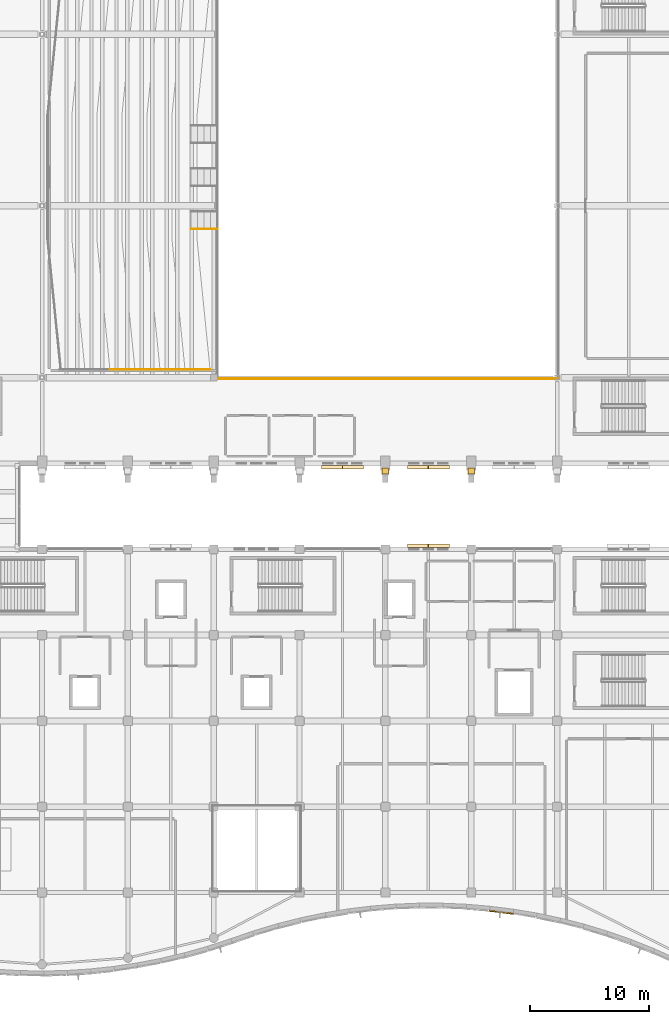
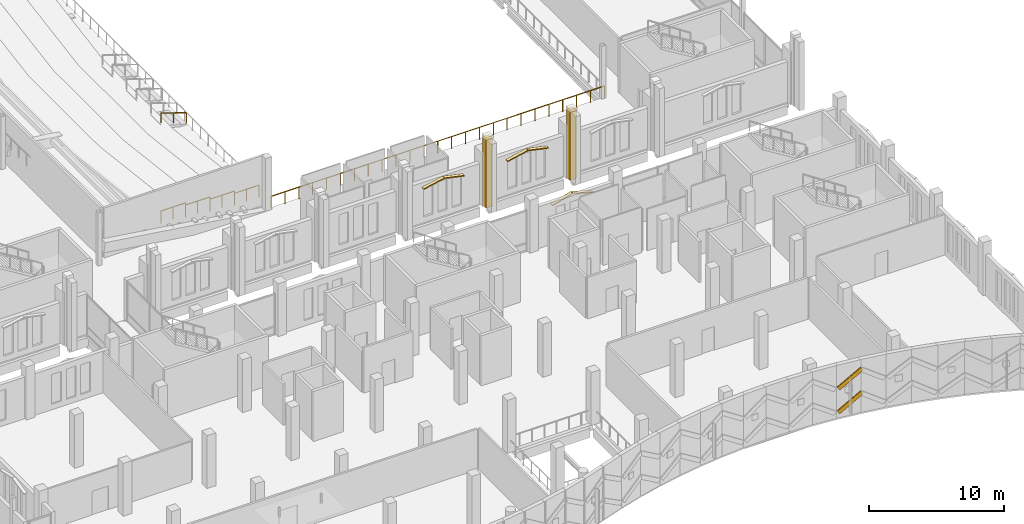
# One storey, part 184 of 193: 10 coverings, 6 railings.
"""IFC4 building model written with IfcOpenShell, lengths in metres."""

from ifc_helpers import new_model, si_unit, direction, frame, origin, origin_2d, place, context, subcontext, project, spatial, polyline, circle, outline, extrude, material, layer, layer_set, type_object, element, save


model = new_model("IFC4")

# Units and contexts
model_context = context("Model", 3, precision=1e-05, world=origin(), true_north=direction((0.0, 1.0)))
body_context = subcontext(model_context, "Body", "Model", "MODEL_VIEW")
ifc_project = project(units=[si_unit("LENGTHUNIT", "METRE"), si_unit("AREAUNIT", "SQUARE_METRE"), si_unit("VOLUMEUNIT", "CUBIC_METRE"), si_unit("PLANEANGLEUNIT", "RADIAN"), si_unit("MASSUNIT", "GRAM", prefix="KILO")], contexts=[model_context])

# Site, building, storey
site_placement = place(None, origin())
site = spatial("IfcSite", under=ifc_project, at=site_placement, CompositionType="ELEMENT")
building_placement = place(site_placement, origin())
building = spatial("IfcBuilding", under=site, at=building_placement, Name="Cendralis Lancet Convention Centre", CompositionType="ELEMENT")
storey_placement = place(building_placement, frame((0.0, 0.0, 10.199951171875)))
storey = spatial("IfcBuildingStorey", under=building, at=storey_placement, Name="L02", CompositionType="ELEMENT", Elevation=10.199951171875)

# Coverings
ifc_material_1 = material(Name="Warm buff sandstone chevron cassette", Category="masonry")
ifc_layer_1 = layer(ifc_material_1, 0.06005859375, Name="Warm buff sandstone chevron cassette")
ifc_layer_set_1 = layer_set([ifc_layer_1], Name="Warm buff sandstone chevron cassette")
covering_type_1 = type_object("IfcCoveringType", Name="ARC-CV-CLAD1", PredefinedType="CLADDING", material=ifc_layer_set_1)
covering_1_placement = place(storey_placement, frame((191.083984375, 5.627197265625, 0.699951171875), z_axis=(-0.559465637372, 0.070168142649, 0.825878097758), x_axis=(0.819559202528, -0.101968410326, 0.563848522963)))
element("IfcCovering", 1, at=covering_1_placement, inside=storey, type_object=covering_type_1, Name="L02 Diagonal Stone Chevron Relief CL-ST1 #0573", PredefinedType="CLADDING", context=body_context, shape_type="SweptSolid", body=[
    extrude(outline(polyline([(0.0, 0.0), (2.3056829080779346, -2.8189256484623115e-17), (2.3057599188019724, 0.10998390168530642), (0.00010190535546519483, 0.10974163853382578), (0.0, 0.0)])), origin(), (0.0, 0.0, -1.0), 0.360107421875),
])
for number, where, z_axis, x_axis, name in (
    (2, (180.56005859375, 42.75, 3.27001953125), (0.209529088731, 0.0, 0.977802414077), (0.0, 1.0, 0.0), "L02 Gothic Pointed Lancet Hood-Mould #0141L"),
    (3, (178.7900390625, 42.75, 3.64501953125), (-0.209529088731, 0.0, 0.977802414077), (0.0, 1.0, 0.0), "L02 Gothic Pointed Lancet Hood-Mould #0142R"),
    (4, (187.760009765625, 42.75, 3.27001953125), (0.209529088731, 0.0, 0.977802414077), (0.0, 1.0, 0.0), "L02 Gothic Pointed Lancet Hood-Mould #0143L"),
    (5, (185.989990234375, 42.75, 3.64501953125), (-0.209529088731, 0.0, 0.977802414077), (0.0, 1.0, 0.0), "L02 Gothic Pointed Lancet Hood-Mould #0144R"),
):
    element("IfcCovering", number, at=place(storey_placement, frame(where, z_axis=z_axis, x_axis=x_axis)), inside=storey, type_object=covering_type_1, Name=name, PredefinedType="CLADDING", context=body_context, shape_type="SweptSolid", body=[
        extrude(outline(polyline([(0.0, 0.0), (0.284912109375, 0.0), (0.284912109375, 1.789727632909544), (0.0, 1.789727632909544), (0.0, 0.0)])), origin(), (0.0, 0.0, -1.0), 0.090087890625),
    ])
covering_2_placement = place(storey_placement, origin())
element("IfcCovering", 6, at=covering_2_placement, inside=storey, type_object=covering_type_1, Name="Gothic Stepped Stone Buttress Shaft #0043", PredefinedType="CLADDING", context=body_context, shape_type="SweptSolid", body=[
    extrude(outline(polyline([(182.1201171875, 42.300048828125), (182.679931640625, 42.300048828125), (182.679931640625, 42.830078125), (182.1201171875, 42.830078125), (182.1201171875, 42.300048828125)])), origin(), (0.0, 0.0, 1.0), 6.199951171875),
])
covering_3_placement = place(storey_placement, origin())
element("IfcCovering", 7, at=covering_3_placement, inside=storey, type_object=covering_type_1, Name="Gothic Stepped Stone Buttress Shaft #0045", PredefinedType="CLADDING", context=body_context, shape_type="SweptSolid", body=[
    extrude(outline(polyline([(189.320068359375, 42.300048828125), (189.8798828125, 42.300048828125), (189.8798828125, 42.830078125), (189.320068359375, 42.830078125), (189.320068359375, 42.300048828125)])), origin(), (0.0, 0.0, 1.0), 6.199951171875),
])
for number, where, z_axis, x_axis, name in (
    (8, (184.239990234375, 36.419921875, 3.27001953125), (-0.262000790167, 0.0, 0.965067658743), (0.0, -1.0, 0.0), "L02 Gothic Pointed Lancet Hood-Mould #0355L"),
    (9, (186.010009765625, 36.419921875, 3.7451171875), (0.262000790167, 0.0, 0.965067658743), (0.0, -1.0, 0.0), "L02 Gothic Pointed Lancet Hood-Mould #0356R"),
):
    element("IfcCovering", number, at=place(storey_placement, frame(where, z_axis=z_axis, x_axis=x_axis)), inside=storey, type_object=covering_type_1, Name=name, PredefinedType="CLADDING", context=body_context, shape_type="SweptSolid", body=[
        extrude(outline(polyline([(0.0, 0.0), (0.284912109375, 0.0), (0.284912109375, 1.8133443641443958), (0.0, 1.8133443641443958), (0.0, 0.0)])), origin(), (0.0, 0.0, -1.0), 0.090087890625),
    ])
ifc_material_2 = material(Name="Dark Andean slate chevron cassette", Category="masonry")
ifc_layer_2 = layer(ifc_material_2, 0.06005859375, Name="Dark Andean slate chevron cassette")
ifc_layer_set_2 = layer_set([ifc_layer_2], Name="Dark Andean slate chevron cassette")
covering_type_2 = type_object("IfcCoveringType", Name="ARC-CV-CLAD2", PredefinedType="CLADDING", material=ifc_layer_set_2)
covering_4_placement = place(storey_placement, frame((191.083984375, 5.627197265625, 2.85009765625), z_axis=(-0.559465637372, 0.070168142649, 0.825878097758), x_axis=(0.819559202528, -0.101968410326, 0.563848522963)))
element("IfcCovering", 10, at=covering_4_placement, inside=storey, type_object=covering_type_2, Name="L02 Diagonal Stone Chevron Relief CL-ST2 #0574", PredefinedType="CLADDING", context=body_context, shape_type="SweptSolid", body=[
    extrude(outline(polyline([(0.0, 0.0), (2.3056829080779346, -2.8189256484623115e-17), (2.3057599188019724, 0.10998390168530642), (0.00010190535546519483, 0.10974163853382578), (0.0, 0.0)])), origin(), (0.0, 0.0, -1.0), 0.360107421875),
])

# Railings
ifc_material_3 = material(Name="Steel S355", Category="steel")
railing_type_1 = type_object("IfcRailingType", Name="ARC-RL-IG01", PredefinedType="GUARDRAIL", material=ifc_material_3)
railing_1_placement = place(storey_placement, frame((168.300048828125, 50.300048828125, 0.0)))
element("IfcRailing", 11, at=railing_1_placement, inside=storey, type_object=railing_type_1, Name="L02 Atrium Void Guardrail GD-IN1 #009", PredefinedType="GUARDRAIL", context=body_context, shape_type="SweptSolid", body=[
    extrude(circle(Radius=0.02392578125, at=origin_2d()), frame((0.0, 0.0, 1.076171875), z_axis=(1.0, 0.0, 0.0), x_axis=(0.0, 1.0, 0.0)), (0.0, 0.0, 1.0), 28.599853515625),
    extrude(circle(Radius=0.02099609375, at=origin_2d()), origin(), (0.0, 0.0, 1.0), 1.052001953125),
    extrude(circle(Radius=0.02099609375, at=origin_2d()), frame((1.191650390625, 0.0, 0.0)), (0.0, 0.0, 1.0), 1.052001953125),
    extrude(circle(Radius=0.02099609375, at=origin_2d()), frame((2.38330078125, 0.0, 0.0)), (0.0, 0.0, 1.0), 1.052001953125),
    extrude(circle(Radius=0.02099609375, at=origin_2d()), frame((3.574951171875, 0.0, 0.0)), (0.0, 0.0, 1.0), 1.052001953125),
    extrude(circle(Radius=0.02099609375, at=origin_2d()), frame((4.7666015625, 0.0, 0.0)), (0.0, 0.0, 1.0), 1.052001953125),
    extrude(circle(Radius=0.02099609375, at=origin_2d()), frame((5.958251953125, 0.0, 0.0)), (0.0, 0.0, 1.0), 1.052001953125),
    extrude(circle(Radius=0.02099609375, at=origin_2d()), frame((7.14990234375, 0.0, 0.0)), (0.0, 0.0, 1.0), 1.052001953125),
    extrude(circle(Radius=0.02099609375, at=origin_2d()), frame((8.341552734375, 0.0, 0.0)), (0.0, 0.0, 1.0), 1.052001953125),
    extrude(circle(Radius=0.02099609375, at=origin_2d()), frame((9.533203125, 0.0, 0.0)), (0.0, 0.0, 1.0), 1.052001953125),
    extrude(circle(Radius=0.02099609375, at=origin_2d()), frame((10.724853515625, 0.0, 0.0)), (0.0, 0.0, 1.0), 1.052001953125),
    extrude(circle(Radius=0.02099609375, at=origin_2d()), frame((11.91650390625, 0.0, 0.0)), (0.0, 0.0, 1.0), 1.052001953125),
    extrude(circle(Radius=0.02099609375, at=origin_2d()), frame((13.108154296875, 0.0, 0.0)), (0.0, 0.0, 1.0), 1.052001953125),
    extrude(circle(Radius=0.02099609375, at=origin_2d()), frame((14.2998046875, 0.0, 0.0)), (0.0, 0.0, 1.0), 1.052001953125),
    extrude(circle(Radius=0.02099609375, at=origin_2d()), frame((15.49169921875, 0.0, 0.0)), (0.0, 0.0, 1.0), 1.052001953125),
    extrude(circle(Radius=0.02099609375, at=origin_2d()), frame((16.683349609375, 0.0, 0.0)), (0.0, 0.0, 1.0), 1.052001953125),
    extrude(circle(Radius=0.02099609375, at=origin_2d()), frame((17.875, 0.0, 0.0)), (0.0, 0.0, 1.0), 1.052001953125),
    extrude(circle(Radius=0.02099609375, at=origin_2d()), frame((19.066650390625, 0.0, 0.0)), (0.0, 0.0, 1.0), 1.052001953125),
    extrude(circle(Radius=0.02099609375, at=origin_2d()), frame((20.25830078125, 0.0, 0.0)), (0.0, 0.0, 1.0), 1.052001953125),
    extrude(circle(Radius=0.02099609375, at=origin_2d()), frame((21.449951171875, 0.0, 0.0)), (0.0, 0.0, 1.0), 1.052001953125),
    extrude(circle(Radius=0.02099609375, at=origin_2d()), frame((22.6416015625, 0.0, 0.0)), (0.0, 0.0, 1.0), 1.052001953125),
    extrude(circle(Radius=0.02099609375, at=origin_2d()), frame((23.833251953125, 0.0, 0.0)), (0.0, 0.0, 1.0), 1.052001953125),
    extrude(circle(Radius=0.02099609375, at=origin_2d()), frame((25.02490234375, 0.0, 0.0)), (0.0, 0.0, 1.0), 1.052001953125),
    extrude(circle(Radius=0.02099609375, at=origin_2d()), frame((26.216552734375, 0.0, 0.0)), (0.0, 0.0, 1.0), 1.052001953125),
    extrude(circle(Radius=0.02099609375, at=origin_2d()), frame((27.408203125, 0.0, 0.0)), (0.0, 0.0, 1.0), 1.052001953125),
    extrude(circle(Radius=0.02099609375, at=origin_2d()), frame((28.599853515625, 0.0, 0.0)), (0.0, 0.0, 1.0), 1.052001953125),
])
railing_2_placement = place(storey_placement, frame((165.60009765625, 51.080078125, 0.75)))
element("IfcRailing", 12, at=railing_2_placement, inside=storey, type_object=railing_type_1, Name="Plenary Upper Stand Side Crowd Guardrail #050", PredefinedType="GUARDRAIL", context=body_context, shape_type="SweptSolid", body=[
    extrude(circle(Radius=0.02392578125, at=origin_2d()), frame((0.0, 0.0, 1.076171875), z_axis=(1.0, 0.0, 0.0), x_axis=(0.0, 1.0, 0.0)), (0.0, 0.0, 1.0), 2.099853515625),
    extrude(circle(Radius=0.02099609375, at=origin_2d()), origin(), (0.0, 0.0, 1.0), 1.052001953125),
    extrude(circle(Radius=0.02099609375, at=origin_2d()), frame((1.0498046875, 0.0, 0.0)), (0.0, 0.0, 1.0), 1.052001953125),
    extrude(circle(Radius=0.02099609375, at=origin_2d()), frame((2.099853515625, 0.0, 0.0)), (0.0, 0.0, 1.0), 1.052001953125),
])
for number, where, name in (
    (13, (163.5, 51.080078125, 0.949951171875), "Plenary Upper Stand Side Crowd Guardrail #052"),
    (14, (161.39990234375, 51.080078125, 1.150146484375), "Plenary Upper Stand Side Crowd Guardrail #054"),
):
    element("IfcRailing", number, at=place(storey_placement, frame(where)), inside=storey, type_object=railing_type_1, Name=name, PredefinedType="GUARDRAIL", context=body_context, shape_type="SweptSolid", body=[
        extrude(circle(Radius=0.02392578125, at=origin_2d()), frame((0.0, 0.0, 1.076171875), z_axis=(1.0, 0.0, 0.0), x_axis=(0.0, 1.0, 0.0)), (0.0, 0.0, 1.0), 2.10009765625),
        extrude(circle(Radius=0.02099609375, at=origin_2d()), origin(), (0.0, 0.0, 1.0), 1.052001953125),
        extrude(circle(Radius=0.02099609375, at=origin_2d()), frame((1.050048828125, 0.0, 0.0)), (0.0, 0.0, 1.0), 1.052001953125),
        extrude(circle(Radius=0.02099609375, at=origin_2d()), frame((2.10009765625, 0.0, 0.0)), (0.0, 0.0, 1.0), 1.052001953125),
    ])
railing_3_placement = place(storey_placement, frame((159.300048828125, 51.080078125, 1.35009765625)))
element("IfcRailing", 15, at=railing_3_placement, inside=storey, type_object=railing_type_1, Name="Plenary Upper Stand Side Crowd Guardrail #056", PredefinedType="GUARDRAIL", context=body_context, shape_type="SweptSolid", body=[
    extrude(circle(Radius=0.02392578125, at=origin_2d()), frame((0.0, 0.0, 1.076171875), z_axis=(1.0, 0.0, 0.0), x_axis=(0.0, 1.0, 0.0)), (0.0, 0.0, 1.0), 2.099853515625),
    extrude(circle(Radius=0.02099609375, at=origin_2d()), origin(), (0.0, 0.0, 1.0), 1.052001953125),
    extrude(circle(Radius=0.02099609375, at=origin_2d()), frame((1.0498046875, 0.0, 0.0)), (0.0, 0.0, 1.0), 1.052001953125),
    extrude(circle(Radius=0.02099609375, at=origin_2d()), frame((2.099853515625, 0.0, 0.0)), (0.0, 0.0, 1.0), 1.052001953125),
])
railing_type_2 = type_object("IfcRailingType", Name="ARC-RL-IH01", PredefinedType="HANDRAIL", material=ifc_material_3)
railing_4_placement = place(storey_placement, frame((168.300048828125, 62.860107421875, 0.150146484375)))
element("IfcRailing", 16, at=railing_4_placement, inside=storey, type_object=railing_type_2, Name="Plenary Balcony Vomitory Gangway Stair VS-04 Handrail R", PredefinedType="HANDRAIL", context=body_context, shape_type="SweptSolid", body=[
    extrude(circle(Radius=0.02392578125, at=origin_2d()), frame((0.0, 0.0, 0.89599609375), z_axis=(-0.946508000853, 0.0, 0.322680343871), x_axis=(0.0, -1.0, 0.0)), (0.0, 0.0, 1.0), 2.32421875),
    extrude(circle(Radius=0.02099609375, at=origin_2d()), origin(), (0.0, 0.0, 1.0), 0.871826171875),
    extrude(circle(Radius=0.02099609375, at=origin_2d()), frame((-1.10009765625, 0.0, 0.375)), (0.0, 0.0, 1.0), 0.871826171875),
    extrude(circle(Radius=0.02099609375, at=origin_2d()), frame((-2.199951171875, 0.0, 0.75)), (0.0, 0.0, 1.0), 0.871826171875),
])

save(model, "model.ifc")
